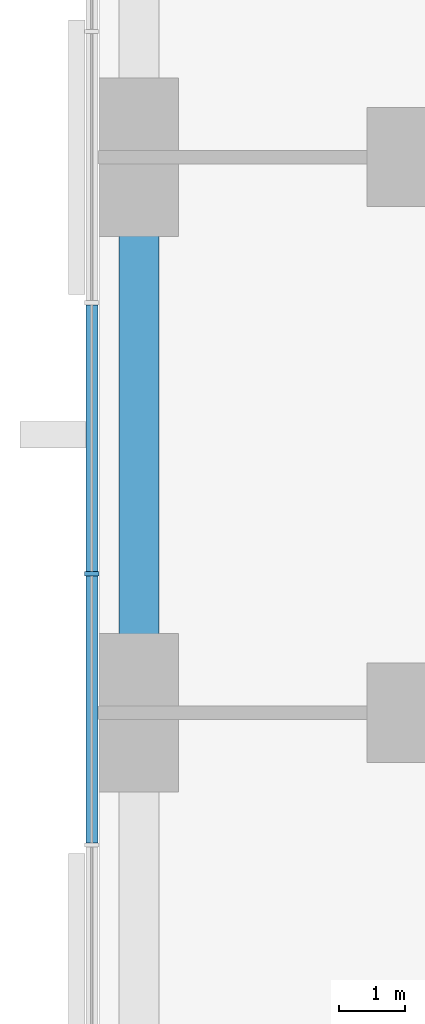
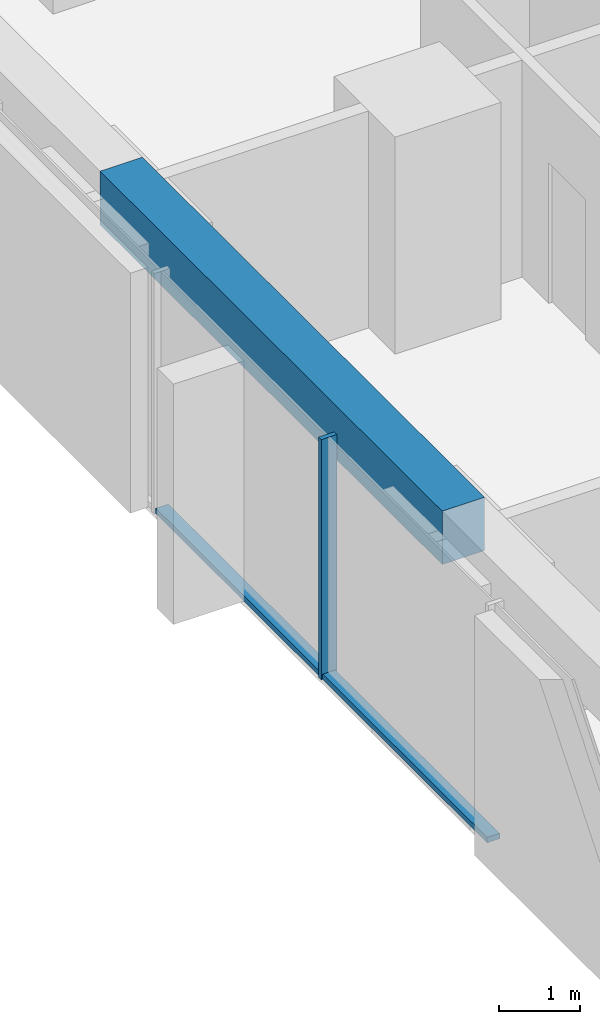
# One storey, part 3 of 14: 3 members, 1 beam, 1 element without a shape of its own.
"""IFC4 building model written with IfcOpenShell, lengths in metres."""

import ifcopenshell
import ifcopenshell.guid

model = None  # the IFC model being written
_history = None  # IfcOwnerHistory: only IFC2X3 demands one
_inside = {}  # id of a spatial element -> (the spatial element, [elements in it])
_under = {}  # id of a project, library or spatial element -> (it, [spatial elements below it])
_declared = {}  # id of a project -> (the project, [libraries it declares])
_typed = {}  # id of a type object -> (the type object, [elements of that type])
_made_of = {}  # id of a material, layer set ... -> (it, [elements and type objects made of it])


def new_model(schema):
    """Start an empty IFC model of exactly this schema.

    Asked for "IFC4X3", IfcOpenShell would pick the latest addendum, in which some entities
    have other attributes; the version numbers below select the first issue.
    IFC2X3 requires an IfcOwnerHistory on every rooted entity: one is made here for all.
    """
    global model, _history
    if schema == "IFC4X3":
        model = ifcopenshell.file(schema_version=(4, 3, 0, 0))
    else:
        model = ifcopenshell.file(schema=schema)
    _inside.clear()
    _under.clear()
    _declared.clear()
    _typed.clear()
    _made_of.clear()
    _history = None
    if model.schema == "IFC2X3":
        org = make("IfcOrganization", Name="unknown")
        user = make(
            "IfcPersonAndOrganization",
            ThePerson=make("IfcPerson", FamilyName="unknown"),
            TheOrganization=org,
        )
        app = make(
            "IfcApplication",
            ApplicationDeveloper=org,
            Version="unknown",
            ApplicationFullName="unknown",
            ApplicationIdentifier="unknown",
        )
        _history = make(
            "IfcOwnerHistory",
            OwningUser=user,
            OwningApplication=app,
            ChangeAction="ADDED",
            CreationDate=0,
        )
    return model


def make(cls, **values):
    """One entity of the class cls with the attributes given. An attribute that is None is left unset."""
    return model.create_entity(
        cls, **{name: value for name, value in values.items() if value is not None}
    )


def rooted(cls, **values):
    """An entity with a GlobalId (a new one), such as an element, a storey or a relation."""
    return make(cls, GlobalId=ifcopenshell.guid.new(), OwnerHistory=_history, **values)


def si_unit(unit_type, name, prefix=None):
    """IfcSIUnit, for example si_unit("LENGTHUNIT", "METRE", prefix="MILLI")."""
    return make("IfcSIUnit", UnitType=unit_type, Prefix=prefix, Name=name)


def assignment(units):
    """IfcUnitAssignment: the units of a project."""
    return None if units is None else make("IfcUnitAssignment", Units=units)


def point(xyz):
    """IfcCartesianPoint."""
    return None if xyz is None else make("IfcCartesianPoint", Coordinates=xyz)


def direction(xyz):
    """IfcDirection."""
    return None if xyz is None else make("IfcDirection", DirectionRatios=xyz)


def frame(location, z_axis=None, x_axis=None):
    """IfcAxis2Placement3D, a coordinate frame: its origin and axes. An axis left out is left unset."""
    return make(
        "IfcAxis2Placement3D",
        Location=point(location),
        Axis=direction(z_axis),
        RefDirection=direction(x_axis),
    )


def frame_2d(location, x_axis=None):
    """IfcAxis2Placement2D, a coordinate frame in the plane: its origin and x axis."""
    return make(
        "IfcAxis2Placement2D", Location=point(location), RefDirection=direction(x_axis)
    )


def origin():
    """The frame at (0, 0, 0) with its axes left unset."""
    return frame((0.0, 0.0, 0.0))


def origin_2d():
    """The frame at (0, 0) in the plane with its x axis left unset."""
    return frame_2d((0.0, 0.0))


def place(relative_to, where):
    """IfcLocalPlacement: puts the frame where relative to a parent placement (None: the world)."""
    return make(
        "IfcLocalPlacement", PlacementRelTo=relative_to, RelativePlacement=where
    )


def context(
    kind, dimensions, precision=None, world=None, true_north=None, identifier=None
):
    """IfcGeometricRepresentationContext, for example the 3D "Model" context."""
    return make(
        "IfcGeometricRepresentationContext",
        ContextIdentifier=identifier,
        ContextType=kind,
        CoordinateSpaceDimension=dimensions,
        Precision=precision,
        WorldCoordinateSystem=world,
        TrueNorth=true_north,
    )


def subcontext(parent, identifier, kind, view, scale=None):
    """IfcGeometricRepresentationSubContext, for example "Body" below "Model"."""
    return make(
        "IfcGeometricRepresentationSubContext",
        ContextIdentifier=identifier,
        ContextType=kind,
        ParentContext=parent,
        TargetScale=scale,
        TargetView=view,
    )


def project(units=None, contexts=None):
    """IfcProject with its units and contexts."""
    return rooted(
        "IfcProject",
        Name="project",
        RepresentationContexts=contexts,
        UnitsInContext=assignment(units),
    )


def spatial(cls, under=None, at=None, **own):
    """A site, building, storey or space (cls), placed at a placement, below another one or the project."""
    s = rooted(cls, ObjectPlacement=at, **own)
    if under is not None:
        _under.setdefault(under.id(), (under, []))[1].append(s)
    return s


def profile(cls, at=None, kind="AREA", **sizes):
    """A parametric profile (cls). Its sizes go by their IFC names, for example OverallWidth=200.0."""
    return make(cls, ProfileType=kind, Position=at, **sizes)


def rectangle(**sizes):
    """IfcRectangleProfileDef."""
    return profile("IfcRectangleProfileDef", **sizes)


def extrude(swept, where, along, depth):
    """IfcExtrudedAreaSolid: the profile swept, set in the frame where, extruded along a direction by depth."""
    return make(
        "IfcExtrudedAreaSolid",
        SweptArea=swept,
        Position=where,
        ExtrudedDirection=direction(along),
        Depth=depth,
    )


def shape(context_of_items, identifier, shape_type, items):
    """IfcShapeRepresentation: the items that make up one representation, for example the "Body"."""
    return make(
        "IfcShapeRepresentation",
        ContextOfItems=context_of_items,
        RepresentationIdentifier=identifier,
        RepresentationType=shape_type,
        Items=items,
    )


def material(Name=None, Category=None):
    """IfcMaterial."""
    return make("IfcMaterial", Name=Name, Category=Category)


def material_profile(
    of_material, cross_section, Name=None, Category=None, Priority=None
):
    """IfcMaterialProfile: a cross section and its material."""
    return make(
        "IfcMaterialProfile",
        Name=Name,
        Material=of_material,
        Profile=cross_section,
        Priority=Priority,
        Category=Category,
    )


def profile_set(profiles, Name=None, composite=None):
    """IfcMaterialProfileSet."""
    return make(
        "IfcMaterialProfileSet",
        Name=Name,
        MaterialProfiles=profiles,
        CompositeProfile=composite,
    )


def made_of(thing, what):
    """Note that an element or type object is made of a material, layer set ...; save() writes the relation."""
    if what is not None:
        _made_of.setdefault(what.id(), (what, []))[1].append(thing)
    return thing


def type_object(cls, material=None, **own):
    """A type object (cls), such as IfcWallType, which elements share."""
    return made_of(rooted(cls, **own), material)


def element(
    cls,
    number,
    at=None,
    inside=None,
    cuts=None,
    type_object=None,
    material=None,
    context=None,
    identifier="Body",
    shape_type=None,
    held_by="IfcProductDefinitionShape",
    body=None,
    shapes=None,
    **own,
):
    """One element of the class cls, such as IfcWall. Its Tag is "e" and its number.

    at: its placement. inside: the storey or other place that contains it. cuts: it is an
    opening in that element (IfcRelVoidsElement). A single representation is given by context,
    identifier, shape_type and body (its items); several are given by shapes. held_by: the class
    of the entity that holds the representations. save() writes the other relations.
    """
    e = rooted(cls, Tag="e%d" % number, ObjectPlacement=at, **own)
    if body is not None:
        shapes = [shape(context, identifier, shape_type, body)]
    if shapes is not None:
        e.Representation = make(held_by, Representations=shapes)
    if inside is not None:
        _inside.setdefault(inside.id(), (inside, []))[1].append(e)
    if cuts is not None:
        rooted(
            "IfcRelVoidsElement", RelatingBuildingElement=cuts, RelatedOpeningElement=e
        )
    if type_object is not None:
        _typed.setdefault(type_object.id(), (type_object, []))[1].append(e)
    return made_of(e, material)


def aggregate(whole, parts):
    """IfcRelAggregates: a whole, such as a stair, and the parts it consists of."""
    return rooted("IfcRelAggregates", RelatingObject=whole, RelatedObjects=parts)


def save(model, path):
    """Write the relations noted so far, then the file.

    IfcRelAggregates (storeys below a building ...), IfcRelContainedInSpatialStructure (elements
    in a storey), IfcRelDefinesByType, IfcRelAssociatesMaterial and IfcRelDeclares: one each for
    every whole, place, type object, material and project.
    """
    for whole, parts in _under.values():
        aggregate(whole, parts)
    for where, things in _inside.values():
        rooted(
            "IfcRelContainedInSpatialStructure",
            RelatedElements=things,
            RelatingStructure=where,
        )
    for kind, things in _typed.values():
        rooted("IfcRelDefinesByType", RelatedObjects=things, RelatingType=kind)
    for what, things in _made_of.values():
        rooted("IfcRelAssociatesMaterial", RelatedObjects=things, RelatingMaterial=what)
    for by, libraries in _declared.values():
        rooted("IfcRelDeclares", RelatingContext=by, RelatedDefinitions=libraries)
    model.write(path)


model = new_model("IFC4")

# Units and contexts
model_context = context("Model", 3, precision=1e-05, world=origin(), true_north=direction((0.0, 1.0)))
body_context = subcontext(model_context, "Body", "Model", "MODEL_VIEW")
ifc_project = project(units=[si_unit("LENGTHUNIT", "METRE"), si_unit("AREAUNIT", "SQUARE_METRE"), si_unit("VOLUMEUNIT", "CUBIC_METRE"), si_unit("PLANEANGLEUNIT", "RADIAN"), si_unit("MASSUNIT", "GRAM", prefix="KILO")], contexts=[model_context])

# Site, building, storey
site_placement = place(None, origin())
site = spatial("IfcSite", under=ifc_project, at=site_placement, CompositionType="ELEMENT")
building_placement = place(site_placement, origin())
building = spatial("IfcBuilding", under=site, at=building_placement, Name="Dunama Terrace Hotel", CompositionType="ELEMENT")
storey_placement = place(building_placement, frame((0.0, 0.0, 126.0)))
storey = spatial("IfcBuildingStorey", under=building, at=storey_placement, Name="L32", CompositionType="ELEMENT", Elevation=126.0)

# Curtain wall, members
ifc_material_1 = material(Name="Aluminium curtain wall system", Category="aluminium")
curtain_wall_type = type_object("IfcCurtainWallType", Name="Unitised fritted glass wall CW-B", PredefinedType="NOTDEFINED", material=ifc_material_1)
curtain_wall_placement = place(storey_placement, origin())
curtain_wall = element("IfcCurtainWall", 1, at=curtain_wall_placement, inside=storey, type_object=curtain_wall_type, Name="Unitised fritted glass wall CW-B L32", PredefinedType="NOTDEFINED")
ifc_material_2 = material(Name="Aluminium mullion", Category="aluminium")
ifc_material_profile_1 = material_profile(ifc_material_2, rectangle(XDim=0.06494140625, YDim=0.219970703125, at=origin_2d()), Name="CWB MULLION 65X220")
ifc_profile_set_1 = profile_set([ifc_material_profile_1], Name="Aluminium mullion")
member_type_1 = type_object("IfcMemberType", Name="CWB mullion 65x220", PredefinedType="MULLION", material=ifc_profile_set_1)
member_1_placement = place(storey_placement, frame((-0.110107421875, 27.300048828125, 0.0), z_axis=(0.0, 0.0, 1.0), x_axis=(0.0, -1.0, 0.0)))
member_1 = element("IfcMember", 2, at=member_1_placement, type_object=member_type_1, Name="CWB mullion", PredefinedType="MULLION", context=body_context, shape_type="SweptSolid", body=[
    extrude(rectangle(XDim=0.06494140625, YDim=0.219970703125, at=origin_2d()), origin(), (0.0, 0.0, 1.0), 3.60009765625),
])
ifc_material_3 = material(Name="Aluminium transom", Category="aluminium")
ifc_material_profile_2 = material_profile(ifc_material_3, rectangle(XDim=0.179931640625, YDim=0.080078125, at=origin_2d()), Name="CWB TRANSOM 180X80")
ifc_profile_set_2 = profile_set([ifc_material_profile_2], Name="Aluminium transom")
member_type_2 = type_object("IfcMemberType", Name="CWB transom 180x80", PredefinedType="USERDEFINED", material=ifc_profile_set_2)
member_2_placement = place(storey_placement, frame((-0.110107421875, 31.366943359375, 0.0400390625), z_axis=(0.0, -1.0, 0.0), x_axis=(1.0, 0.0, 0.0)))
member_2 = element("IfcMember", 3, at=member_2_placement, type_object=member_type_2, Name="CWB transom", ObjectType="TRANSOM", PredefinedType="USERDEFINED", context=body_context, shape_type="SweptSolid", body=[
    extrude(rectangle(XDim=0.179931640625, YDim=0.080078125, at=origin_2d()), origin(), (0.0, 0.0, 1.0), 4.034912109375),
])
member_3_placement = place(storey_placement, frame((-0.110107421875, 27.26806640625, 0.0400390625), z_axis=(0.0, -1.0, 0.0), x_axis=(1.0, 0.0, 0.0)))
member_3 = element("IfcMember", 4, at=member_3_placement, type_object=member_type_2, Name="CWB transom", ObjectType="TRANSOM", PredefinedType="USERDEFINED", context=body_context, shape_type="SweptSolid", body=[
    extrude(rectangle(XDim=0.179931640625, YDim=0.080078125, at=origin_2d()), origin(), (0.0, 0.0, 1.0), 4.03515625),
])
aggregate(curtain_wall, [member_1, member_2, member_3])

# Beam
ifc_material_4 = material(Name="Concrete C40/50", Category="concrete")
ifc_material_profile_3 = material_profile(ifc_material_4, rectangle(XDim=0.60009765625, YDim=0.800048828125, at=origin_2d()), Name="RC 600x800")
ifc_profile_set_3 = profile_set([ifc_material_profile_3], Name="Concrete C40/50")
beam_type = type_object("IfcBeamType", Name="Edge beam RC 600x800", PredefinedType="SPANDREL", material=ifc_profile_set_3)
beam_placement = place(storey_placement, frame((0.60009765625, 25.199951171875, 3.199951171875), z_axis=(0.0, 1.0, 0.0), x_axis=(-1.0, 0.0, 0.0)))
element("IfcBeam", 5, at=beam_placement, inside=storey, type_object=beam_type, Name="Edge beam under L33", PredefinedType="SPANDREL", context=body_context, shape_type="SweptSolid", body=[
    extrude(rectangle(XDim=0.60009765625, YDim=0.800048828125, at=origin_2d()), origin(), (0.0, 0.0, 1.0), 8.400146484375),
])

save(model, "model.ifc")
